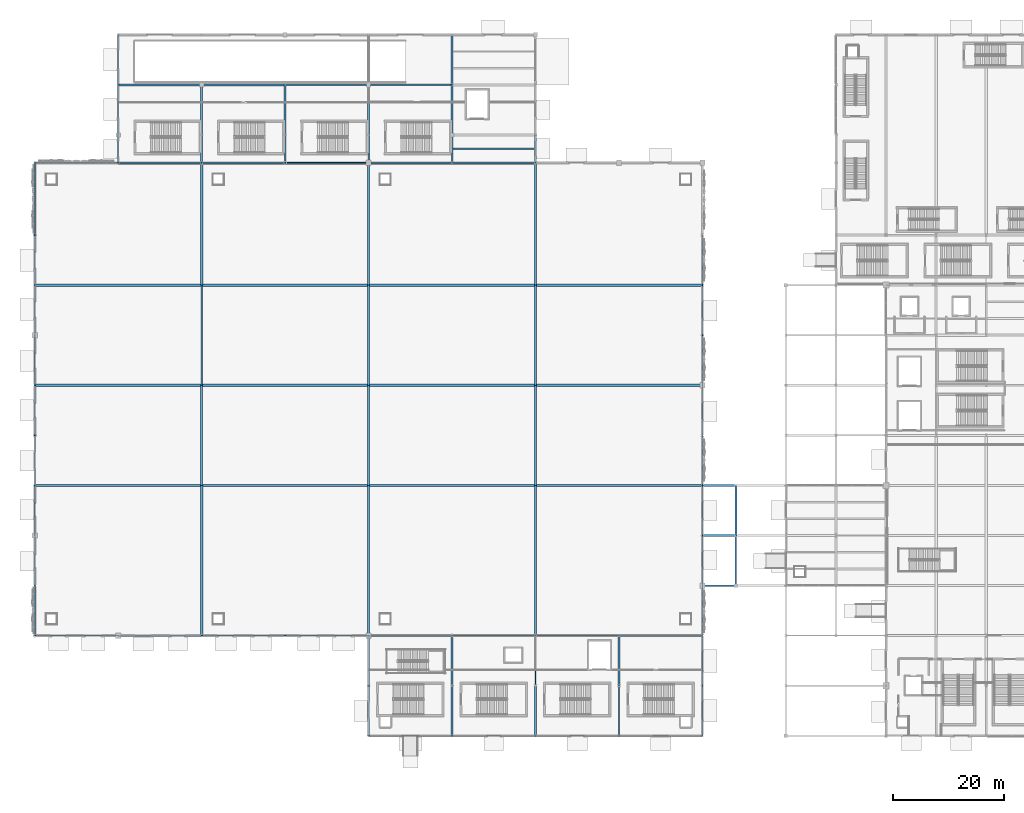
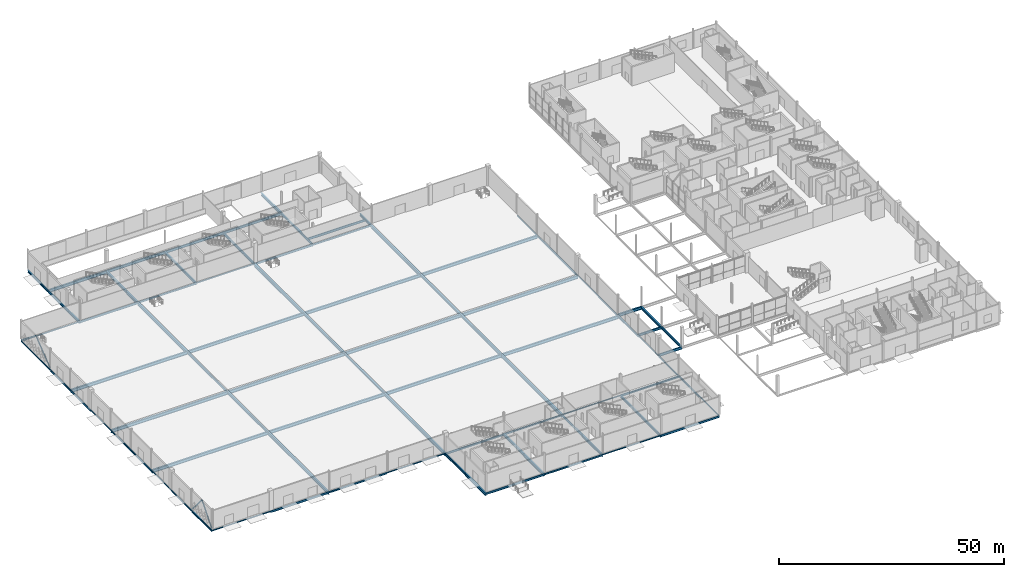
# One storey, part 28 of 94: 92 beams, 4 members.
"""IFC4 building model written with IfcOpenShell, lengths in metres."""

from ifc_helpers import new_model, si_unit, direction, frame, origin, origin_2d, place, context, subcontext, project, spatial, hollow_rectangle, i_section, extrude, material, material_profile, profile_set, type_object, element, save


model = new_model("IFC4")

# Units and contexts
model_context = context("Model", 3, precision=1e-05, world=origin(), true_north=direction((0.0, 1.0)))
body_context = subcontext(model_context, "Body", "Model", "MODEL_VIEW")
ifc_project = project(units=[si_unit("LENGTHUNIT", "METRE"), si_unit("AREAUNIT", "SQUARE_METRE"), si_unit("VOLUMEUNIT", "CUBIC_METRE"), si_unit("PLANEANGLEUNIT", "RADIAN"), si_unit("MASSUNIT", "GRAM", prefix="KILO")], contexts=[model_context])

# Site, building, storey
site_placement = place(None, origin())
site = spatial("IfcSite", under=ifc_project, at=site_placement, CompositionType="ELEMENT")
building_placement = place(site_placement, origin())
building = spatial("IfcBuilding", under=site, at=building_placement, Name="Qamarlyn Nura Convention Centre", CompositionType="ELEMENT")
storey_placement = place(building_placement, origin())
storey = spatial("IfcBuildingStorey", under=building, at=storey_placement, Name="L00", CompositionType="ELEMENT", Elevation=0.0)

# Beams
ifc_material_1 = material(Name="Steel ASTM A992", Category="steel")
ifc_material_profile_1 = material_profile(ifc_material_1, i_section(OverallWidth=0.323974609375, OverallDepth=0.611083984375, WebThickness=0.0126953125, FlangeThickness=0.01904296875, FilletRadius=0.01611328125, at=origin_2d()), Name="W610X155")
ifc_profile_set_1 = profile_set([ifc_material_profile_1], Name="Steel ASTM A992")
beam_type_1 = type_object("IfcBeamType", Name="BM-GIRD-610", PredefinedType="BEAM", material=ifc_profile_set_1)
beam_1_placement = place(storey_placement, frame((120.0, 36.0, -0.305419921875), z_axis=(1.0, 0.0, 0.0), x_axis=(0.0, 1.0, 0.0)))
element("IfcBeam", 1, at=beam_1_placement, inside=storey, type_object=beam_type_1, Name="L00 girder E 9-10", PredefinedType="BEAM", context=body_context, shape_type="SweptSolid", body=[
    extrude(i_section(OverallWidth=0.323974609375, OverallDepth=0.611083984375, WebThickness=0.0126953125, FlangeThickness=0.01904296875, FilletRadius=0.01611328125, at=origin_2d()), origin(), (0.0, 0.0, 1.0), 6.0),
])
beam_2_placement = place(storey_placement, frame((60.0, 117.0, -0.62548828125), z_axis=(1.0, 0.0, 0.0), x_axis=(0.0, 1.0, 0.0)))
element("IfcBeam", 2, at=beam_2_placement, inside=storey, type_object=beam_type_1, Name="L00 girder P 5-6", PredefinedType="BEAM", context=body_context, shape_type="SweptSolid", body=[
    extrude(i_section(OverallWidth=0.323974609375, OverallDepth=0.611083984375, WebThickness=0.0126953125, FlangeThickness=0.01904296875, FilletRadius=0.01611328125, at=origin_2d()), origin(), (0.0, 0.0, 1.0), 15.0),
])
for number, where, z_axis, x_axis, name in (
    (3, (15.0, 117.0, -0.62548828125), (0.0, 1.0, 0.0), (-1.0, 0.0, 0.0), "L00 girder 2 P-Q"),
    (4, (45.0, 108.0, -0.62548828125), (0.0, 1.0, 0.0), (-1.0, 0.0, 0.0), "L00 girder 4 N-P"),
):
    element("IfcBeam", number, at=place(storey_placement, frame(where, z_axis=z_axis, x_axis=x_axis)), inside=storey, type_object=beam_type_1, Name=name, PredefinedType="BEAM", context=body_context, shape_type="SweptSolid", body=[
        extrude(i_section(OverallWidth=0.323974609375, OverallDepth=0.611083984375, WebThickness=0.0126953125, FlangeThickness=0.01904296875, FilletRadius=0.01611328125, at=origin_2d()), origin(), (0.0, 0.0, 1.0), 9.0),
    ])
beam_3_placement = place(storey_placement, frame((60.0, 45.0, -0.655517578125), z_axis=(0.0, 1.0, 0.0), x_axis=(-1.0, 0.0, 0.0)))
element("IfcBeam", 5, at=beam_3_placement, inside=storey, type_object=beam_type_1, Name="L00 girder 5 F-H", PredefinedType="BEAM", context=body_context, shape_type="SweptSolid", body=[
    extrude(i_section(OverallWidth=0.323974609375, OverallDepth=0.611083984375, WebThickness=0.0126953125, FlangeThickness=0.01904296875, FilletRadius=0.01611328125, at=origin_2d()), origin(), (0.0, 0.0, 1.0), 18.0),
])
for number, where, z_axis, x_axis, name in (
    (6, (60.0, 108.0, -0.62548828125), (0.0, 1.0, 0.0), (-1.0, 0.0, 0.0), "L00 girder 5 N-P"),
    (7, (75.0, 108.0, -0.62548828125), (0.0, 1.0, 0.0), (-1.0, 0.0, 0.0), "L00 girder 6 N-P"),
):
    element("IfcBeam", number, at=place(storey_placement, frame(where, z_axis=z_axis, x_axis=x_axis)), inside=storey, type_object=beam_type_1, Name=name, PredefinedType="BEAM", context=body_context, shape_type="SweptSolid", body=[
        extrude(i_section(OverallWidth=0.323974609375, OverallDepth=0.611083984375, WebThickness=0.0126953125, FlangeThickness=0.01904296875, FilletRadius=0.01611328125, at=origin_2d()), origin(), (0.0, 0.0, 1.0), 9.0),
    ])
beam_4_placement = place(storey_placement, frame((90.0, 103.0, -0.62548828125), z_axis=(0.0, 1.0, 0.0), x_axis=(-1.0, 0.0, 0.0)))
element("IfcBeam", 8, at=beam_4_placement, inside=storey, type_object=beam_type_1, Name="L00 girder 7 M-N", PredefinedType="BEAM", context=body_context, shape_type="SweptSolid", body=[
    extrude(i_section(OverallWidth=0.323974609375, OverallDepth=0.611083984375, WebThickness=0.0126953125, FlangeThickness=0.01904296875, FilletRadius=0.01611328125, at=origin_2d()), origin(), (0.0, 0.0, 1.0), 5.0),
])
for number, where, z_axis, x_axis, name in (
    (9, (105.0, 9.0, -0.60546875), (0.0, 1.0, 0.0), (-1.0, 0.0, 0.0), "L00 girder 8 B-C"),
    (10, (126.0, 27.0, -0.305419921875), (0.0, 1.0, 0.0), (-1.0, 0.0, 0.0), "L00 girder 10 D-E"),
):
    element("IfcBeam", number, at=place(storey_placement, frame(where, z_axis=z_axis, x_axis=x_axis)), inside=storey, type_object=beam_type_1, Name=name, PredefinedType="BEAM", context=body_context, shape_type="SweptSolid", body=[
        extrude(i_section(OverallWidth=0.323974609375, OverallDepth=0.611083984375, WebThickness=0.0126953125, FlangeThickness=0.01904296875, FilletRadius=0.01611328125, at=origin_2d()), origin(), (0.0, 0.0, 1.0), 9.0),
    ])
ifc_material_profile_2 = material_profile(ifc_material_1, i_section(OverallWidth=0.35498046875, OverallDepth=0.695068359375, WebThickness=0.015380859375, FlangeThickness=0.02490234375, FilletRadius=0.01806640625, at=origin_2d()), Name="W690X217")
ifc_profile_set_2 = profile_set([ifc_material_profile_2], Name="Steel ASTM A992")
beam_type_2 = type_object("IfcBeamType", Name="BM-GIRD-690A", PredefinedType="BEAM", material=ifc_profile_set_2)
beam_5_placement = place(storey_placement, frame((30.0, 117.0, -0.66748046875), z_axis=(1.0, 0.0, 0.0), x_axis=(0.0, 1.0, 0.0)))
element("IfcBeam", 11, at=beam_5_placement, inside=storey, type_object=beam_type_2, Name="L00 girder P 3-4", PredefinedType="BEAM", context=body_context, shape_type="SweptSolid", body=[
    extrude(i_section(OverallWidth=0.35498046875, OverallDepth=0.695068359375, WebThickness=0.015380859375, FlangeThickness=0.02490234375, FilletRadius=0.01806640625, at=origin_2d()), origin(), (0.0, 0.0, 1.0), 15.0),
])
beam_6_placement = place(storey_placement, frame((15.0, 103.0, -0.66748046875), z_axis=(0.0, 1.0, 0.0), x_axis=(-1.0, 0.0, 0.0)))
element("IfcBeam", 12, at=beam_6_placement, inside=storey, type_object=beam_type_2, Name="L00 girder 2 M-N", PredefinedType="BEAM", context=body_context, shape_type="SweptSolid", body=[
    extrude(i_section(OverallWidth=0.35498046875, OverallDepth=0.695068359375, WebThickness=0.015380859375, FlangeThickness=0.02490234375, FilletRadius=0.01806640625, at=origin_2d()), origin(), (0.0, 0.0, 1.0), 5.0),
])
beam_7_placement = place(storey_placement, frame((30.0, 45.0, -0.697509765625), z_axis=(0.0, 1.0, 0.0), x_axis=(-1.0, 0.0, 0.0)))
element("IfcBeam", 13, at=beam_7_placement, inside=storey, type_object=beam_type_2, Name="L00 girder 3 F-H", PredefinedType="BEAM", context=body_context, shape_type="SweptSolid", body=[
    extrude(i_section(OverallWidth=0.35498046875, OverallDepth=0.695068359375, WebThickness=0.015380859375, FlangeThickness=0.02490234375, FilletRadius=0.01806640625, at=origin_2d()), origin(), (0.0, 0.0, 1.0), 18.0),
])
for number, where, z_axis, x_axis, name in (
    (14, (30.0, 108.0, -0.66748046875), (0.0, 1.0, 0.0), (-1.0, 0.0, 0.0), "L00 girder 3 N-P"),
    (15, (60.0, 9.0, -0.6474609375), (0.0, 1.0, 0.0), (-1.0, 0.0, 0.0), "L00 girder 5 B-C"),
    (16, (75.0, 9.0, -0.6474609375), (0.0, 1.0, 0.0), (-1.0, 0.0, 0.0), "L00 girder 6 B-C"),
    (17, (90.0, 0.0, -0.6474609375), (0.0, 1.0, 0.0), (-1.0, 0.0, 0.0), "L00 girder 7 A-B"),
):
    element("IfcBeam", number, at=place(storey_placement, frame(where, z_axis=z_axis, x_axis=x_axis)), inside=storey, type_object=beam_type_2, Name=name, PredefinedType="BEAM", context=body_context, shape_type="SweptSolid", body=[
        extrude(i_section(OverallWidth=0.35498046875, OverallDepth=0.695068359375, WebThickness=0.015380859375, FlangeThickness=0.02490234375, FilletRadius=0.01806640625, at=origin_2d()), origin(), (0.0, 0.0, 1.0), 9.0),
    ])
beam_8_placement = place(storey_placement, frame((90.0, 63.0, -0.697509765625), z_axis=(0.0, 1.0, 0.0), x_axis=(-1.0, 0.0, 0.0)))
element("IfcBeam", 18, at=beam_8_placement, inside=storey, type_object=beam_type_2, Name="L00 girder 7 H-K", PredefinedType="BEAM", context=body_context, shape_type="SweptSolid", body=[
    extrude(i_section(OverallWidth=0.35498046875, OverallDepth=0.695068359375, WebThickness=0.015380859375, FlangeThickness=0.02490234375, FilletRadius=0.01806640625, at=origin_2d()), origin(), (0.0, 0.0, 1.0), 18.0),
])
ifc_material_profile_3 = material_profile(ifc_material_1, i_section(OverallWidth=0.25390625, OverallDepth=0.68408203125, WebThickness=0.012451171875, FlangeThickness=0.01904296875, FilletRadius=0.01806640625, at=origin_2d()), Name="W690X140")
ifc_profile_set_3 = profile_set([ifc_material_profile_3], Name="Steel ASTM A992")
beam_type_3 = type_object("IfcBeamType", Name="BM-GIRD-690B", PredefinedType="BEAM", material=ifc_profile_set_3)
beam_9_placement = place(storey_placement, frame((120.0, 27.0, -0.342041015625), z_axis=(1.0, 0.0, 0.0), x_axis=(0.0, 1.0, 0.0)))
element("IfcBeam", 19, at=beam_9_placement, inside=storey, type_object=beam_type_3, Name="L00 girder D 9-10", PredefinedType="BEAM", context=body_context, shape_type="SweptSolid", body=[
    extrude(i_section(OverallWidth=0.25390625, OverallDepth=0.68408203125, WebThickness=0.012451171875, FlangeThickness=0.01904296875, FilletRadius=0.01806640625, at=origin_2d()), origin(), (0.0, 0.0, 1.0), 6.0),
])
beam_10_placement = place(storey_placement, frame((45.0, 117.0, -0.662109375), z_axis=(1.0, 0.0, 0.0), x_axis=(0.0, 1.0, 0.0)))
element("IfcBeam", 20, at=beam_10_placement, inside=storey, type_object=beam_type_3, Name="L00 girder P 4-5", PredefinedType="BEAM", context=body_context, shape_type="SweptSolid", body=[
    extrude(i_section(OverallWidth=0.25390625, OverallDepth=0.68408203125, WebThickness=0.012451171875, FlangeThickness=0.01904296875, FilletRadius=0.01806640625, at=origin_2d()), origin(), (0.0, 0.0, 1.0), 15.0),
])
beam_11_placement = place(storey_placement, frame((15.0, 108.0, -0.662109375), z_axis=(0.0, 1.0, 0.0), x_axis=(-1.0, 0.0, 0.0)))
element("IfcBeam", 21, at=beam_11_placement, inside=storey, type_object=beam_type_3, Name="L00 girder 2 N-P", PredefinedType="BEAM", context=body_context, shape_type="SweptSolid", body=[
    extrude(i_section(OverallWidth=0.25390625, OverallDepth=0.68408203125, WebThickness=0.012451171875, FlangeThickness=0.01904296875, FilletRadius=0.01806640625, at=origin_2d()), origin(), (0.0, 0.0, 1.0), 9.0),
])
beam_12_placement = place(storey_placement, frame((30.0, 63.0, -0.69189453125), z_axis=(0.0, 1.0, 0.0), x_axis=(-1.0, 0.0, 0.0)))
element("IfcBeam", 22, at=beam_12_placement, inside=storey, type_object=beam_type_3, Name="L00 girder 3 H-K", PredefinedType="BEAM", context=body_context, shape_type="SweptSolid", body=[
    extrude(i_section(OverallWidth=0.25390625, OverallDepth=0.68408203125, WebThickness=0.012451171875, FlangeThickness=0.01904296875, FilletRadius=0.01806640625, at=origin_2d()), origin(), (0.0, 0.0, 1.0), 18.0),
])
for number, where, z_axis, x_axis, name in (
    (23, (45.0, 103.0, -0.662109375), (0.0, 1.0, 0.0), (-1.0, 0.0, 0.0), "L00 girder 4 M-N"),
    (24, (60.0, 103.0, -0.662109375), (0.0, 1.0, 0.0), (-1.0, 0.0, 0.0), "L00 girder 5 M-N"),
    (25, (75.0, 103.0, -0.662109375), (0.0, 1.0, 0.0), (-1.0, 0.0, 0.0), "L00 girder 6 M-N"),
):
    element("IfcBeam", number, at=place(storey_placement, frame(where, z_axis=z_axis, x_axis=x_axis)), inside=storey, type_object=beam_type_3, Name=name, PredefinedType="BEAM", context=body_context, shape_type="SweptSolid", body=[
        extrude(i_section(OverallWidth=0.25390625, OverallDepth=0.68408203125, WebThickness=0.012451171875, FlangeThickness=0.01904296875, FilletRadius=0.01806640625, at=origin_2d()), origin(), (0.0, 0.0, 1.0), 5.0),
    ])
for number, where, z_axis, x_axis, name in (
    (26, (90.0, 9.0, -0.64208984375), (0.0, 1.0, 0.0), (-1.0, 0.0, 0.0), "L00 girder 7 B-C"),
    (27, (105.0, 0.0, -0.64208984375), (0.0, 1.0, 0.0), (-1.0, 0.0, 0.0), "L00 girder 8 A-B"),
):
    element("IfcBeam", number, at=place(storey_placement, frame(where, z_axis=z_axis, x_axis=x_axis)), inside=storey, type_object=beam_type_3, Name=name, PredefinedType="BEAM", context=body_context, shape_type="SweptSolid", body=[
        extrude(i_section(OverallWidth=0.25390625, OverallDepth=0.68408203125, WebThickness=0.012451171875, FlangeThickness=0.01904296875, FilletRadius=0.01806640625, at=origin_2d()), origin(), (0.0, 0.0, 1.0), 9.0),
    ])
ifc_material_profile_4 = material_profile(ifc_material_1, i_section(OverallWidth=0.381103515625, OverallDepth=0.77294921875, WebThickness=0.0166015625, FlangeThickness=0.027587890625, FilletRadius=0.02001953125, at=origin_2d()), Name="W760X257")
ifc_profile_set_4 = profile_set([ifc_material_profile_4], Name="Steel ASTM A992")
beam_type_4 = type_object("IfcBeamType", Name="BM-GIRD-760", PredefinedType="BEAM", material=ifc_profile_set_4)
beam_13_placement = place(storey_placement, frame((120.0, 45.0, -0.386474609375), z_axis=(1.0, 0.0, 0.0), x_axis=(0.0, 1.0, 0.0)))
element("IfcBeam", 28, at=beam_13_placement, inside=storey, type_object=beam_type_4, Name="L00 girder F 9-10", PredefinedType="BEAM", context=body_context, shape_type="SweptSolid", body=[
    extrude(i_section(OverallWidth=0.381103515625, OverallDepth=0.77294921875, WebThickness=0.0166015625, FlangeThickness=0.027587890625, FilletRadius=0.02001953125, at=origin_2d()), origin(), (0.0, 0.0, 1.0), 6.0),
])
beam_14_placement = place(storey_placement, frame((15.0, 117.0, -0.70654296875), z_axis=(1.0, 0.0, 0.0), x_axis=(0.0, 1.0, 0.0)))
element("IfcBeam", 29, at=beam_14_placement, inside=storey, type_object=beam_type_4, Name="L00 girder P 2-3", PredefinedType="BEAM", context=body_context, shape_type="SweptSolid", body=[
    extrude(i_section(OverallWidth=0.381103515625, OverallDepth=0.77294921875, WebThickness=0.0166015625, FlangeThickness=0.027587890625, FilletRadius=0.02001953125, at=origin_2d()), origin(), (0.0, 0.0, 1.0), 15.0),
])
beam_15_placement = place(storey_placement, frame((30.0, 103.0, -0.70654296875), z_axis=(0.0, 1.0, 0.0), x_axis=(-1.0, 0.0, 0.0)))
element("IfcBeam", 30, at=beam_15_placement, inside=storey, type_object=beam_type_4, Name="L00 girder 3 M-N", PredefinedType="BEAM", context=body_context, shape_type="SweptSolid", body=[
    extrude(i_section(OverallWidth=0.381103515625, OverallDepth=0.77294921875, WebThickness=0.0166015625, FlangeThickness=0.027587890625, FilletRadius=0.02001953125, at=origin_2d()), origin(), (0.0, 0.0, 1.0), 5.0),
])
beam_16_placement = place(storey_placement, frame((60.0, 0.0, -0.6865234375), z_axis=(0.0, 1.0, 0.0), x_axis=(-1.0, 0.0, 0.0)))
element("IfcBeam", 31, at=beam_16_placement, inside=storey, type_object=beam_type_4, Name="L00 girder 5 A-B", PredefinedType="BEAM", context=body_context, shape_type="SweptSolid", body=[
    extrude(i_section(OverallWidth=0.381103515625, OverallDepth=0.77294921875, WebThickness=0.0166015625, FlangeThickness=0.027587890625, FilletRadius=0.02001953125, at=origin_2d()), origin(), (0.0, 0.0, 1.0), 9.0),
])
beam_17_placement = place(storey_placement, frame((60.0, 63.0, -0.736572265625), z_axis=(0.0, 1.0, 0.0), x_axis=(-1.0, 0.0, 0.0)))
element("IfcBeam", 32, at=beam_17_placement, inside=storey, type_object=beam_type_4, Name="L00 girder 5 H-K", PredefinedType="BEAM", context=body_context, shape_type="SweptSolid", body=[
    extrude(i_section(OverallWidth=0.381103515625, OverallDepth=0.77294921875, WebThickness=0.0166015625, FlangeThickness=0.027587890625, FilletRadius=0.02001953125, at=origin_2d()), origin(), (0.0, 0.0, 1.0), 18.0),
])
for number, where, z_axis, x_axis, name in (
    (33, (75.0, 0.0, -0.6865234375), (0.0, 1.0, 0.0), (-1.0, 0.0, 0.0), "L00 girder 6 A-B"),
    (34, (75.0, 117.0, -0.70654296875), (0.0, 1.0, 0.0), (-1.0, 0.0, 0.0), "L00 girder 6 P-Q"),
):
    element("IfcBeam", number, at=place(storey_placement, frame(where, z_axis=z_axis, x_axis=x_axis)), inside=storey, type_object=beam_type_4, Name=name, PredefinedType="BEAM", context=body_context, shape_type="SweptSolid", body=[
        extrude(i_section(OverallWidth=0.381103515625, OverallDepth=0.77294921875, WebThickness=0.0166015625, FlangeThickness=0.027587890625, FilletRadius=0.02001953125, at=origin_2d()), origin(), (0.0, 0.0, 1.0), 9.0),
    ])
beam_18_placement = place(storey_placement, frame((90.0, 45.0, -0.736572265625), z_axis=(0.0, 1.0, 0.0), x_axis=(-1.0, 0.0, 0.0)))
element("IfcBeam", 35, at=beam_18_placement, inside=storey, type_object=beam_type_4, Name="L00 girder 7 F-H", PredefinedType="BEAM", context=body_context, shape_type="SweptSolid", body=[
    extrude(i_section(OverallWidth=0.381103515625, OverallDepth=0.77294921875, WebThickness=0.0166015625, FlangeThickness=0.027587890625, FilletRadius=0.02001953125, at=origin_2d()), origin(), (0.0, 0.0, 1.0), 18.0),
])
beam_19_placement = place(storey_placement, frame((126.0, 36.0, -0.386474609375), z_axis=(0.0, 1.0, 0.0), x_axis=(-1.0, 0.0, 0.0)))
element("IfcBeam", 36, at=beam_19_placement, inside=storey, type_object=beam_type_4, Name="L00 girder 10 E-F", PredefinedType="BEAM", context=body_context, shape_type="SweptSolid", body=[
    extrude(i_section(OverallWidth=0.381103515625, OverallDepth=0.77294921875, WebThickness=0.0166015625, FlangeThickness=0.027587890625, FilletRadius=0.02001953125, at=origin_2d()), origin(), (0.0, 0.0, 1.0), 9.0),
])
ifc_material_profile_5 = material_profile(ifc_material_1, i_section(OverallWidth=0.39990234375, OverallDepth=0.85498046875, WebThickness=0.018310546875, FlangeThickness=0.029296875, FilletRadius=0.02197265625, at=origin_2d()), Name="W840X299")
ifc_profile_set_5 = profile_set([ifc_material_profile_5], Name="Steel ASTM A992")
beam_type_5 = type_object("IfcBeamType", Name="BM-GIRD-840", PredefinedType="BEAM", material=ifc_profile_set_5)
for number, where, z_axis, x_axis, name in (
    (37, (0.0, 45.0, -0.777587890625), (1.0, 0.0, 0.0), (0.0, 1.0, 0.0), "L00 girder F 1-3"),
    (38, (30.0, 45.0, -0.777587890625), (1.0, 0.0, 0.0), (0.0, 1.0, 0.0), "L00 girder F 3-5"),
    (39, (60.0, 45.0, -0.777587890625), (1.0, 0.0, 0.0), (0.0, 1.0, 0.0), "L00 girder F 5-7"),
    (40, (90.0, 45.0, -0.777587890625), (1.0, 0.0, 0.0), (0.0, 1.0, 0.0), "L00 girder F 7-9"),
    (41, (0.0, 63.0, -0.777587890625), (1.0, 0.0, 0.0), (0.0, 1.0, 0.0), "L00 girder H 1-3"),
    (42, (30.0, 63.0, -0.777587890625), (1.0, 0.0, 0.0), (0.0, 1.0, 0.0), "L00 girder H 3-5"),
    (43, (60.0, 63.0, -0.777587890625), (1.0, 0.0, 0.0), (0.0, 1.0, 0.0), "L00 girder H 5-7"),
    (44, (90.0, 63.0, -0.777587890625), (1.0, 0.0, 0.0), (0.0, 1.0, 0.0), "L00 girder H 7-9"),
    (45, (0.0, 81.0, -0.777587890625), (1.0, 0.0, 0.0), (0.0, 1.0, 0.0), "L00 girder K 1-3"),
    (46, (30.0, 81.0, -0.777587890625), (1.0, 0.0, 0.0), (0.0, 1.0, 0.0), "L00 girder K 3-5"),
    (47, (60.0, 81.0, -0.777587890625), (1.0, 0.0, 0.0), (0.0, 1.0, 0.0), "L00 girder K 5-7"),
    (48, (90.0, 81.0, -0.777587890625), (1.0, 0.0, 0.0), (0.0, 1.0, 0.0), "L00 girder K 7-9"),
):
    element("IfcBeam", number, at=place(storey_placement, frame(where, z_axis=z_axis, x_axis=x_axis)), inside=storey, type_object=beam_type_5, Name=name, PredefinedType="BEAM", context=body_context, shape_type="SweptSolid", body=[
        extrude(i_section(OverallWidth=0.39990234375, OverallDepth=0.85498046875, WebThickness=0.018310546875, FlangeThickness=0.029296875, FilletRadius=0.02197265625, at=origin_2d()), origin(), (0.0, 0.0, 1.0), 30.0),
    ])
beam_20_placement = place(storey_placement, frame((30.0, 18.0, -0.777587890625), z_axis=(0.0, 1.0, 0.0), x_axis=(-1.0, 0.0, 0.0)))
element("IfcBeam", 49, at=beam_20_placement, inside=storey, type_object=beam_type_5, Name="L00 girder 3 C-F", PredefinedType="BEAM", context=body_context, shape_type="SweptSolid", body=[
    extrude(i_section(OverallWidth=0.39990234375, OverallDepth=0.85498046875, WebThickness=0.018310546875, FlangeThickness=0.029296875, FilletRadius=0.02197265625, at=origin_2d()), origin(), (0.0, 0.0, 1.0), 27.0),
])
beam_21_placement = place(storey_placement, frame((30.0, 81.0, -0.777587890625), z_axis=(0.0, 1.0, 0.0), x_axis=(-1.0, 0.0, 0.0)))
element("IfcBeam", 50, at=beam_21_placement, inside=storey, type_object=beam_type_5, Name="L00 girder 3 K-M", PredefinedType="BEAM", context=body_context, shape_type="SweptSolid", body=[
    extrude(i_section(OverallWidth=0.39990234375, OverallDepth=0.85498046875, WebThickness=0.018310546875, FlangeThickness=0.029296875, FilletRadius=0.02197265625, at=origin_2d()), origin(), (0.0, 0.0, 1.0), 22.0),
])
beam_22_placement = place(storey_placement, frame((60.0, 18.0, -0.777587890625), z_axis=(0.0, 1.0, 0.0), x_axis=(-1.0, 0.0, 0.0)))
element("IfcBeam", 51, at=beam_22_placement, inside=storey, type_object=beam_type_5, Name="L00 girder 5 C-F", PredefinedType="BEAM", context=body_context, shape_type="SweptSolid", body=[
    extrude(i_section(OverallWidth=0.39990234375, OverallDepth=0.85498046875, WebThickness=0.018310546875, FlangeThickness=0.029296875, FilletRadius=0.02197265625, at=origin_2d()), origin(), (0.0, 0.0, 1.0), 27.0),
])
beam_23_placement = place(storey_placement, frame((60.0, 81.0, -0.777587890625), z_axis=(0.0, 1.0, 0.0), x_axis=(-1.0, 0.0, 0.0)))
element("IfcBeam", 52, at=beam_23_placement, inside=storey, type_object=beam_type_5, Name="L00 girder 5 K-M", PredefinedType="BEAM", context=body_context, shape_type="SweptSolid", body=[
    extrude(i_section(OverallWidth=0.39990234375, OverallDepth=0.85498046875, WebThickness=0.018310546875, FlangeThickness=0.029296875, FilletRadius=0.02197265625, at=origin_2d()), origin(), (0.0, 0.0, 1.0), 22.0),
])
beam_24_placement = place(storey_placement, frame((90.0, 18.0, -0.777587890625), z_axis=(0.0, 1.0, 0.0), x_axis=(-1.0, 0.0, 0.0)))
element("IfcBeam", 53, at=beam_24_placement, inside=storey, type_object=beam_type_5, Name="L00 girder 7 C-F", PredefinedType="BEAM", context=body_context, shape_type="SweptSolid", body=[
    extrude(i_section(OverallWidth=0.39990234375, OverallDepth=0.85498046875, WebThickness=0.018310546875, FlangeThickness=0.029296875, FilletRadius=0.02197265625, at=origin_2d()), origin(), (0.0, 0.0, 1.0), 27.0),
])
beam_25_placement = place(storey_placement, frame((90.0, 81.0, -0.777587890625), z_axis=(0.0, 1.0, 0.0), x_axis=(-1.0, 0.0, 0.0)))
element("IfcBeam", 54, at=beam_25_placement, inside=storey, type_object=beam_type_5, Name="L00 girder 7 K-M", PredefinedType="BEAM", context=body_context, shape_type="SweptSolid", body=[
    extrude(i_section(OverallWidth=0.39990234375, OverallDepth=0.85498046875, WebThickness=0.018310546875, FlangeThickness=0.029296875, FilletRadius=0.02197265625, at=origin_2d()), origin(), (0.0, 0.0, 1.0), 22.0),
])
ifc_material_profile_6 = material_profile(ifc_material_1, i_section(OverallWidth=0.22802734375, OverallDepth=0.60791015625, WebThickness=0.01123046875, FlangeThickness=0.017333984375, FilletRadius=0.01611328125, at=origin_2d()), Name="W610X113")
ifc_profile_set_6 = profile_set([ifc_material_profile_6], Name="Steel ASTM A992")
beam_type_6 = type_object("IfcBeamType", Name="BM-JOIST-610", PredefinedType="JOIST", material=ifc_profile_set_6)
beam_26_placement = place(storey_placement, frame((75.126953125, 105.5, -0.6240234375), z_axis=(1.0, 0.0, 0.0), x_axis=(0.0, 1.0, 0.0)))
element("IfcBeam", 55, at=beam_26_placement, inside=storey, type_object=beam_type_6, Name="L00 composite joist 6-7/M+1", PredefinedType="JOIST", context=body_context, shape_type="SweptSolid", body=[
    extrude(i_section(OverallWidth=0.22802734375, OverallDepth=0.60791015625, WebThickness=0.01123046875, FlangeThickness=0.017333984375, FilletRadius=0.01611328125, at=origin_2d()), origin(), (0.0, 0.0, 1.0), 14.7109375),
])
ifc_material_profile_7 = material_profile(ifc_material_1, i_section(OverallWidth=0.193115234375, OverallDepth=0.466064453125, WebThickness=0.011474609375, FlangeThickness=0.01904296875, FilletRadius=0.012939453125, at=origin_2d()), Name="W460X97")
ifc_profile_set_7 = profile_set([ifc_material_profile_7], Name="Steel ASTM A992")
beam_type_7 = type_object("IfcBeamType", Name="BM-SPAN-460", PredefinedType="SPANDREL", material=ifc_profile_set_7)
for number, where, z_axis, x_axis, name in (
    (56, (75.0, 0.0, -0.532958984375), (1.0, 0.0, 0.0), (0.0, 1.0, 0.0), "L00 girder A 6-7"),
    (57, (30.0, 18.0, -0.5830078125), (1.0, 0.0, 0.0), (0.0, 1.0, 0.0), "L00 girder C 3-4"),
    (58, (75.0, 18.0, -0.5830078125), (1.0, 0.0, 0.0), (0.0, 1.0, 0.0), "L00 girder C 6-7"),
    (59, (30.0, 103.0, -0.5830078125), (1.0, 0.0, 0.0), (0.0, 1.0, 0.0), "L00 girder M 3-4"),
    (60, (75.0, 103.0, -0.5830078125), (1.0, 0.0, 0.0), (0.0, 1.0, 0.0), "L00 girder M 6-7"),
):
    element("IfcBeam", number, at=place(storey_placement, frame(where, z_axis=z_axis, x_axis=x_axis)), inside=storey, type_object=beam_type_7, Name=name, PredefinedType="SPANDREL", context=body_context, shape_type="SweptSolid", body=[
        extrude(i_section(OverallWidth=0.193115234375, OverallDepth=0.466064453125, WebThickness=0.011474609375, FlangeThickness=0.01904296875, FilletRadius=0.012939453125, at=origin_2d()), origin(), (0.0, 0.0, 1.0), 15.0),
    ])
for number, where, z_axis, x_axis, name in (
    (61, (0.0, 27.0, -0.5830078125), (0.0, 1.0, 0.0), (-1.0, 0.0, 0.0), "L00 girder 1 D-E"),
    (62, (0.0, 54.0, -0.5830078125), (0.0, 1.0, 0.0), (-1.0, 0.0, 0.0), "L00 girder 1 G-H"),
    (63, (0.0, 81.0, -0.5830078125), (0.0, 1.0, 0.0), (-1.0, 0.0, 0.0), "L00 girder 1 K-L"),
    (64, (120.0, 18.0, -0.5830078125), (0.0, 1.0, 0.0), (-1.0, 0.0, 0.0), "L00 girder 9 C-D"),
    (65, (120.0, 45.0, -0.5830078125), (0.0, 1.0, 0.0), (-1.0, 0.0, 0.0), "L00 girder 9 F-G"),
    (66, (120.0, 72.0, -0.5830078125), (0.0, 1.0, 0.0), (-1.0, 0.0, 0.0), "L00 girder 9 J-K"),
):
    element("IfcBeam", number, at=place(storey_placement, frame(where, z_axis=z_axis, x_axis=x_axis)), inside=storey, type_object=beam_type_7, Name=name, PredefinedType="SPANDREL", context=body_context, shape_type="SweptSolid", body=[
        extrude(i_section(OverallWidth=0.193115234375, OverallDepth=0.466064453125, WebThickness=0.011474609375, FlangeThickness=0.01904296875, FilletRadius=0.012939453125, at=origin_2d()), origin(), (0.0, 0.0, 1.0), 9.0),
    ])
ifc_material_profile_8 = material_profile(ifc_material_1, i_section(OverallWidth=0.2109375, OverallDepth=0.5390625, WebThickness=0.01171875, FlangeThickness=0.018798828125, FilletRadius=0.013916015625, at=origin_2d()), Name="W530X109")
ifc_profile_set_8 = profile_set([ifc_material_profile_8], Name="Steel ASTM A992")
beam_type_8 = type_object("IfcBeamType", Name="BM-SPAN-530", PredefinedType="SPANDREL", material=ifc_profile_set_8)
for number, where, z_axis, x_axis, name in (
    (67, (60.0, 0.0, -0.569580078125), (1.0, 0.0, 0.0), (0.0, 1.0, 0.0), "L00 girder A 5-6"),
    (68, (105.0, 0.0, -0.569580078125), (1.0, 0.0, 0.0), (0.0, 1.0, 0.0), "L00 girder A 8-9"),
    (69, (15.0, 18.0, -0.619384765625), (1.0, 0.0, 0.0), (0.0, 1.0, 0.0), "L00 girder C 2-3"),
    (70, (60.0, 18.0, -0.619384765625), (1.0, 0.0, 0.0), (0.0, 1.0, 0.0), "L00 girder C 5-6"),
    (71, (105.0, 18.0, -0.619384765625), (1.0, 0.0, 0.0), (0.0, 1.0, 0.0), "L00 girder C 8-9"),
    (72, (15.0, 103.0, -0.619384765625), (1.0, 0.0, 0.0), (0.0, 1.0, 0.0), "L00 girder M 2-3"),
    (73, (60.0, 103.0, -0.619384765625), (1.0, 0.0, 0.0), (0.0, 1.0, 0.0), "L00 girder M 5-6"),
):
    element("IfcBeam", number, at=place(storey_placement, frame(where, z_axis=z_axis, x_axis=x_axis)), inside=storey, type_object=beam_type_8, Name=name, PredefinedType="SPANDREL", context=body_context, shape_type="SweptSolid", body=[
        extrude(i_section(OverallWidth=0.2109375, OverallDepth=0.5390625, WebThickness=0.01171875, FlangeThickness=0.018798828125, FilletRadius=0.013916015625, at=origin_2d()), origin(), (0.0, 0.0, 1.0), 15.0),
    ])
for number, where, z_axis, x_axis, name in (
    (74, (0.0, 18.0, -0.619384765625), (0.0, 1.0, 0.0), (-1.0, 0.0, 0.0), "L00 girder 1 C-D"),
    (75, (0.0, 45.0, -0.619384765625), (0.0, 1.0, 0.0), (-1.0, 0.0, 0.0), "L00 girder 1 F-G"),
    (76, (0.0, 72.0, -0.619384765625), (0.0, 1.0, 0.0), (-1.0, 0.0, 0.0), "L00 girder 1 J-K"),
    (77, (120.0, 9.0, -0.569580078125), (0.0, 1.0, 0.0), (-1.0, 0.0, 0.0), "L00 girder 9 B-C"),
    (78, (120.0, 36.0, -0.619384765625), (0.0, 1.0, 0.0), (-1.0, 0.0, 0.0), "L00 girder 9 E-F"),
    (79, (120.0, 63.0, -0.619384765625), (0.0, 1.0, 0.0), (-1.0, 0.0, 0.0), "L00 girder 9 H-J"),
):
    element("IfcBeam", number, at=place(storey_placement, frame(where, z_axis=z_axis, x_axis=x_axis)), inside=storey, type_object=beam_type_8, Name=name, PredefinedType="SPANDREL", context=body_context, shape_type="SweptSolid", body=[
        extrude(i_section(OverallWidth=0.2109375, OverallDepth=0.5390625, WebThickness=0.01171875, FlangeThickness=0.018798828125, FilletRadius=0.013916015625, at=origin_2d()), origin(), (0.0, 0.0, 1.0), 9.0),
    ])
ifc_material_2 = material(Name="Steel ASTM A500 Grade C", Category="steel")
ifc_material_profile_9 = material_profile(ifc_material_2, hollow_rectangle(XDim=0.199951171875, YDim=0.300048828125, WallThickness=0.012451171875, InnerFilletRadius=0.012451171875, OuterFilletRadius=0.02490234375, at=origin_2d()), Name="HSS300X200X12.5")
ifc_profile_set_9 = profile_set([ifc_material_profile_9], Name="Steel ASTM A500 Grade C")
beam_type_9 = type_object("IfcBeamType", Name="BM-SPAN-HSS", PredefinedType="SPANDREL", material=ifc_profile_set_9)
for number, where, z_axis, x_axis, name in (
    (80, (90.0, 0.0, -0.449951171875), (1.0, 0.0, 0.0), (0.0, 1.0, 0.0), "L00 girder A 7-8"),
    (81, (0.0, 18.0, -0.5), (1.0, 0.0, 0.0), (0.0, 1.0, 0.0), "L00 girder C 1-2"),
    (82, (45.0, 18.0, -0.5), (1.0, 0.0, 0.0), (0.0, 1.0, 0.0), "L00 girder C 4-5"),
    (83, (90.0, 18.0, -0.5), (1.0, 0.0, 0.0), (0.0, 1.0, 0.0), "L00 girder C 7-8"),
    (84, (0.0, 103.0, -0.5), (1.0, 0.0, 0.0), (0.0, 1.0, 0.0), "L00 girder M 1-2"),
    (85, (45.0, 103.0, -0.5), (1.0, 0.0, 0.0), (0.0, 1.0, 0.0), "L00 girder M 4-5"),
):
    element("IfcBeam", number, at=place(storey_placement, frame(where, z_axis=z_axis, x_axis=x_axis)), inside=storey, type_object=beam_type_9, Name=name, PredefinedType="SPANDREL", context=body_context, shape_type="SweptSolid", body=[
        extrude(hollow_rectangle(XDim=0.199951171875, YDim=0.300048828125, WallThickness=0.012451171875, InnerFilletRadius=0.012451171875, OuterFilletRadius=0.02490234375, at=origin_2d()), origin(), (0.0, 0.0, 1.0), 15.0),
    ])
for number, where, z_axis, x_axis, name in (
    (86, (0.0, 36.0, -0.5), (0.0, 1.0, 0.0), (-1.0, 0.0, 0.0), "L00 girder 1 E-F"),
    (87, (0.0, 63.0, -0.5), (0.0, 1.0, 0.0), (-1.0, 0.0, 0.0), "L00 girder 1 H-J"),
):
    element("IfcBeam", number, at=place(storey_placement, frame(where, z_axis=z_axis, x_axis=x_axis)), inside=storey, type_object=beam_type_9, Name=name, PredefinedType="SPANDREL", context=body_context, shape_type="SweptSolid", body=[
        extrude(hollow_rectangle(XDim=0.199951171875, YDim=0.300048828125, WallThickness=0.012451171875, InnerFilletRadius=0.012451171875, OuterFilletRadius=0.02490234375, at=origin_2d()), origin(), (0.0, 0.0, 1.0), 9.0),
    ])
beam_27_placement = place(storey_placement, frame((0.0, 90.0, -0.5), z_axis=(0.0, 1.0, 0.0), x_axis=(-1.0, 0.0, 0.0)))
element("IfcBeam", 88, at=beam_27_placement, inside=storey, type_object=beam_type_9, Name="L00 girder 1 L-M", PredefinedType="SPANDREL", context=body_context, shape_type="SweptSolid", body=[
    extrude(hollow_rectangle(XDim=0.199951171875, YDim=0.300048828125, WallThickness=0.012451171875, InnerFilletRadius=0.012451171875, OuterFilletRadius=0.02490234375, at=origin_2d()), origin(), (0.0, 0.0, 1.0), 13.0),
])
for number, where, z_axis, x_axis, name in (
    (89, (120.0, 0.0, -0.449951171875), (0.0, 1.0, 0.0), (-1.0, 0.0, 0.0), "L00 girder 9 A-B"),
    (90, (120.0, 27.0, -0.5), (0.0, 1.0, 0.0), (-1.0, 0.0, 0.0), "L00 girder 9 D-E"),
    (91, (120.0, 54.0, -0.5), (0.0, 1.0, 0.0), (-1.0, 0.0, 0.0), "L00 girder 9 G-H"),
    (92, (120.0, 81.0, -0.5), (0.0, 1.0, 0.0), (-1.0, 0.0, 0.0), "L00 girder 9 K-L"),
):
    element("IfcBeam", number, at=place(storey_placement, frame(where, z_axis=z_axis, x_axis=x_axis)), inside=storey, type_object=beam_type_9, Name=name, PredefinedType="SPANDREL", context=body_context, shape_type="SweptSolid", body=[
        extrude(hollow_rectangle(XDim=0.199951171875, YDim=0.300048828125, WallThickness=0.012451171875, InnerFilletRadius=0.012451171875, OuterFilletRadius=0.02490234375, at=origin_2d()), origin(), (0.0, 0.0, 1.0), 9.0),
    ])

# Members
ifc_material_profile_10 = material_profile(ifc_material_2, hollow_rectangle(XDim=0.25, YDim=0.25, WallThickness=0.012451171875, InnerFilletRadius=0.012451171875, OuterFilletRadius=0.02490234375, at=origin_2d()), Name="HSS250X250X12.5")
ifc_profile_set_10 = profile_set([ifc_material_profile_10], Name="Steel ASTM A500 Grade C")
member_type = type_object("IfcMemberType", Name="CBF-BRC-250", PredefinedType="BRACE", material=ifc_profile_set_10)
for number, where, z_axis, x_axis, name in (
    (93, (0.0, 18.179931640625, 0.0), (0.0, 0.646343318291, 0.763046731794), (-1.0, 0.0, 0.0), "L00 SCBF chevron brace CBF-W1L"),
    (94, (0.0, 26.820068359375, 0.0), (0.0, -0.646343318291, 0.763046731794), (1.0, 0.0, 0.0), "L00 SCBF chevron brace CBF-W1R"),
):
    element("IfcMember", number, at=place(storey_placement, frame(where, z_axis=z_axis, x_axis=x_axis)), inside=storey, type_object=member_type, Name=name, PredefinedType="BRACE", context=body_context, shape_type="SweptSolid", body=[
        extrude(hollow_rectangle(XDim=0.25, YDim=0.25, WallThickness=0.012451171875, InnerFilletRadius=0.012451171875, OuterFilletRadius=0.02490234375, at=origin_2d()), origin(), (0.0, 0.0, 1.0), 6.683837890625),
    ])
for number, where, z_axis, x_axis, name in (
    (95, (0.0, 90.179931640625, 0.0), (0.0, 0.788234369015, 0.615375153467), (-1.0, 0.0, 0.0), "L00 SCBF chevron brace CBF-W2L"),
    (96, (0.0, 102.820068359375, 0.0), (0.0, -0.788234369015, 0.615375153467), (1.0, 0.0, 0.0), "L00 SCBF chevron brace CBF-W2R"),
):
    element("IfcMember", number, at=place(storey_placement, frame(where, z_axis=z_axis, x_axis=x_axis)), inside=storey, type_object=member_type, Name=name, PredefinedType="BRACE", context=body_context, shape_type="SweptSolid", body=[
        extrude(hollow_rectangle(XDim=0.25, YDim=0.25, WallThickness=0.012451171875, InnerFilletRadius=0.012451171875, OuterFilletRadius=0.02490234375, at=origin_2d()), origin(), (0.0, 0.0, 1.0), 8.01806640625),
    ])

save(model, "model.ifc")
